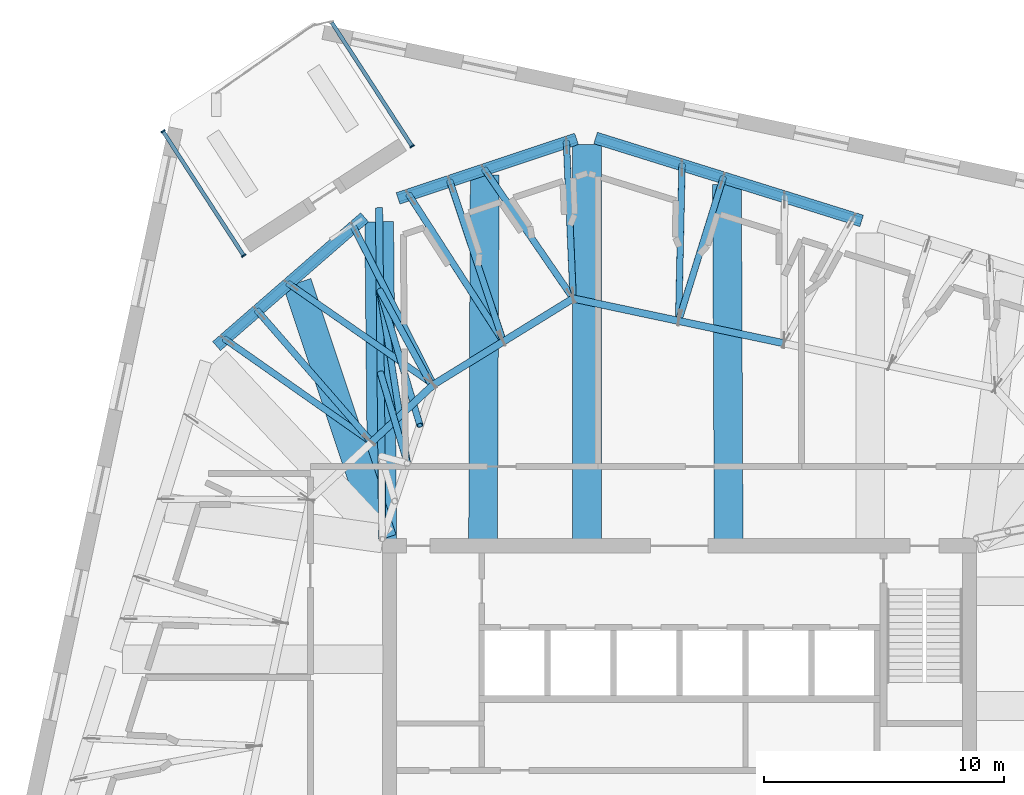
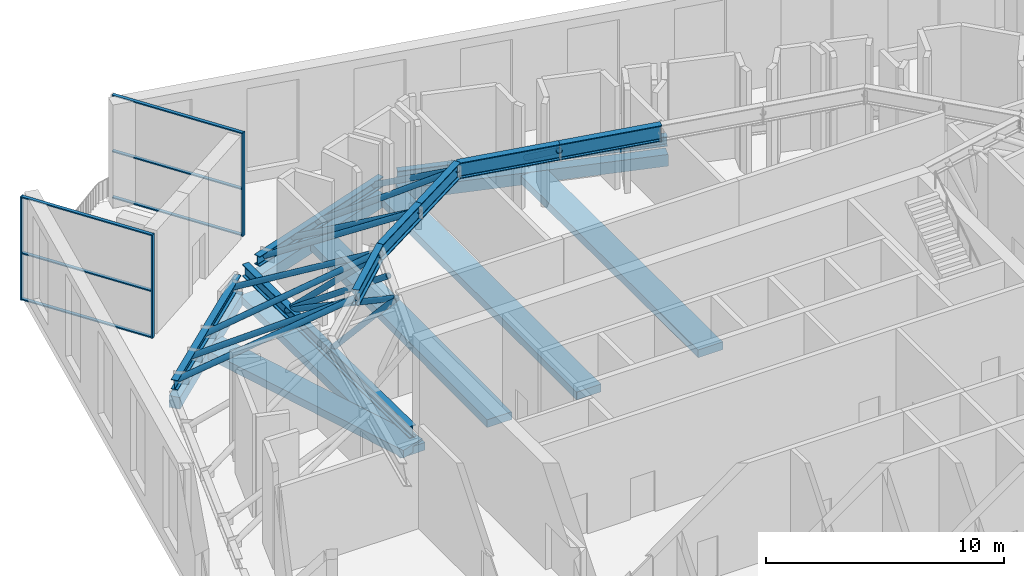
# One storey, part 3 of 19: 23 members, 17 beams, 2 elements without a shape of their own.
"""IFC4 building model written with IfcOpenShell, lengths in metres."""

from ifc_helpers import new_model, si_unit, direction, frame, origin, origin_2d, place, context, subcontext, project, spatial, rectangle, hollow_circle, i_section, extrude, material, material_profile, profile_set, type_object, element, aggregate, save


model = new_model("IFC4")

# Units and contexts
model_context = context("Model", 3, precision=1e-05, world=origin(), true_north=direction((0.0, 1.0)))
body_context = subcontext(model_context, "Body", "Model", "MODEL_VIEW")
ifc_project = project(units=[si_unit("LENGTHUNIT", "METRE"), si_unit("AREAUNIT", "SQUARE_METRE"), si_unit("VOLUMEUNIT", "CUBIC_METRE"), si_unit("PLANEANGLEUNIT", "RADIAN"), si_unit("MASSUNIT", "GRAM", prefix="KILO")], contexts=[model_context])

# Site, building, storey
site_placement = place(None, origin())
site = spatial("IfcSite", under=ifc_project, at=site_placement, CompositionType="ELEMENT")
building_placement = place(site_placement, origin())
building = spatial("IfcBuilding", under=site, at=building_placement, Name="Dilmun Exchange Tower", CompositionType="ELEMENT")
storey_placement = place(building_placement, frame((0.0, 0.0, 344.5)))
storey = spatial("IfcBuildingStorey", under=building, at=storey_placement, Name="L82", CompositionType="ELEMENT", Elevation=344.5)

# Curtain wall, member
ifc_material_1 = material(Name="Anodised aluminium and clear glass", Category="aluminium")
curtain_wall_type = type_object("IfcCurtainWallType", Name="Garden corner glazing", PredefinedType="NOTDEFINED", material=ifc_material_1)
curtain_wall_1_placement = place(storey_placement, origin())
curtain_wall_1 = element("IfcCurtainWall", 1, at=curtain_wall_1_placement, inside=storey, type_object=curtain_wall_type, Name="Garden corner glazing run GC1.1", PredefinedType="NOTDEFINED")
ifc_material_2 = material(Name="Anodised aluminium", Category="aluminium")
ifc_material_profile_1 = material_profile(ifc_material_2, rectangle(XDim=0.199951171875, YDim=0.06005859375, at=origin_2d()), Name="AL 60x200")
ifc_profile_set_1 = profile_set([ifc_material_profile_1], Name="Anodised aluminium")
member_type_1 = type_object("IfcMemberType", Name="Garden corner glazing mullion 60 x 200", PredefinedType="MULLION", material=ifc_profile_set_1)
member_1_placement = place(storey_placement, frame((-11.155517578125, 28.764404296875, 0.0), z_axis=(0.0, 0.0, 1.0), x_axis=(0.838674338179, 0.54463322932, 0.0)))
member_1 = element("IfcMember", 2, at=member_1_placement, type_object=member_type_1, Name="GC1.1 mullion 2", PredefinedType="MULLION", context=body_context, shape_type="SweptSolid", body=[
    extrude(rectangle(XDim=0.199951171875, YDim=0.06005859375, at=origin_2d()), origin(), (0.0, 0.0, 1.0), 5.300048828125),
])

# Curtain wall, members
curtain_wall_2_placement = place(storey_placement, origin())
curtain_wall_2 = element("IfcCurtainWall", 3, at=curtain_wall_2_placement, inside=storey, type_object=curtain_wall_type, Name="Garden corner glazing run GC3.1", PredefinedType="NOTDEFINED")
member_2_placement = place(storey_placement, frame((-18.18212890625, 24.201171875, 0.0), z_axis=(0.0, 0.0, 1.0), x_axis=(-0.838674338179, -0.54463322932, 0.0)))
member_2 = element("IfcMember", 4, at=member_2_placement, type_object=member_type_1, Name="GC3.1 mullion 1", PredefinedType="MULLION", context=body_context, shape_type="SweptSolid", body=[
    extrude(rectangle(XDim=0.199951171875, YDim=0.06005859375, at=origin_2d()), origin(), (0.0, 0.0, 1.0), 5.300048828125),
])
member_3_placement = place(storey_placement, frame((-21.55126953125, 29.3896484375, 0.0), z_axis=(0.0, 0.0, 1.0), x_axis=(-0.838674338179, -0.54463322932, 0.0)))
member_3 = element("IfcMember", 5, at=member_3_placement, type_object=member_type_1, Name="GC3.1 mullion 2", PredefinedType="MULLION", context=body_context, shape_type="SweptSolid", body=[
    extrude(rectangle(XDim=0.199951171875, YDim=0.06005859375, at=origin_2d()), origin(), (0.0, 0.0, 1.0), 5.300048828125),
])

# Member
ifc_material_profile_2 = material_profile(ifc_material_2, rectangle(XDim=0.159912109375, YDim=0.06005859375, at=origin_2d()), Name="AL 60x160")
ifc_profile_set_2 = profile_set([ifc_material_profile_2], Name="Anodised aluminium")
member_type_2 = type_object("IfcMemberType", Name="Garden corner glazing transom 60 x 160", PredefinedType="USERDEFINED", material=ifc_profile_set_2)
member_4_placement = place(storey_placement, frame((-14.508544921875, 33.927490234375, 0.030029296875), z_axis=(0.544645123151, -0.838666614232, 0.0), x_axis=(0.838666614232, 0.544645123151, 0.0)))
member_4 = element("IfcMember", 6, at=member_4_placement, type_object=member_type_2, Name="GC1.1 transom 1.1", ObjectType="TRANSOM", PredefinedType="USERDEFINED", context=body_context, shape_type="SweptSolid", body=[
    extrude(rectangle(XDim=0.159912109375, YDim=0.06005859375, at=origin_2d()), origin(), (0.0, 0.0, 1.0), 6.126220703125),
])

member_5_placement = place(storey_placement, frame((-14.508544921875, 33.927490234375, 2.39990234375), z_axis=(0.544645123151, -0.838666614232, 0.0), x_axis=(0.838666614232, 0.544645123151, 0.0)))
member_5 = element("IfcMember", 7, at=member_5_placement, type_object=member_type_2, Name="GC1.1 transom 1.2", ObjectType="TRANSOM", PredefinedType="USERDEFINED", context=body_context, shape_type="SweptSolid", body=[
    extrude(rectangle(XDim=0.159912109375, YDim=0.06005859375, at=origin_2d()), origin(), (0.0, 0.0, 1.0), 6.126220703125),
])

member_6_placement = place(storey_placement, frame((-14.508544921875, 33.927490234375, 5.27001953125), z_axis=(0.544645123151, -0.838666614232, 0.0), x_axis=(0.838666614232, 0.544645123151, 0.0)))
member_6 = element("IfcMember", 8, at=member_6_placement, type_object=member_type_2, Name="GC1.1 transom 1.3", ObjectType="TRANSOM", PredefinedType="USERDEFINED", context=body_context, shape_type="SweptSolid", body=[
    extrude(rectangle(XDim=0.159912109375, YDim=0.06005859375, at=origin_2d()), origin(), (0.0, 0.0, 1.0), 6.126220703125),
])

aggregate(curtain_wall_1, [member_1, member_4, member_5, member_6])

member_7_placement = place(storey_placement, frame((-18.198486328125, 24.226318359375, 0.030029296875), z_axis=(-0.544598890103, 0.83869663699, 0.0), x_axis=(-0.83869663699, -0.544598890103, 0.0)))
member_7 = element("IfcMember", 9, at=member_7_placement, type_object=member_type_2, Name="GC3.1 transom 1.1", ObjectType="TRANSOM", PredefinedType="USERDEFINED", context=body_context, shape_type="SweptSolid", body=[
    extrude(rectangle(XDim=0.159912109375, YDim=0.06005859375, at=origin_2d()), origin(), (0.0, 0.0, 1.0), 6.12646484375),
])

member_8_placement = place(storey_placement, frame((-18.198486328125, 24.226318359375, 2.39990234375), z_axis=(-0.544598890103, 0.83869663699, 0.0), x_axis=(-0.83869663699, -0.544598890103, 0.0)))
member_8 = element("IfcMember", 10, at=member_8_placement, type_object=member_type_2, Name="GC3.1 transom 1.2", ObjectType="TRANSOM", PredefinedType="USERDEFINED", context=body_context, shape_type="SweptSolid", body=[
    extrude(rectangle(XDim=0.159912109375, YDim=0.06005859375, at=origin_2d()), origin(), (0.0, 0.0, 1.0), 6.12646484375),
])

member_9_placement = place(storey_placement, frame((-18.198486328125, 24.226318359375, 5.27001953125), z_axis=(-0.544598890103, 0.83869663699, 0.0), x_axis=(-0.83869663699, -0.544598890103, 0.0)))
member_9 = element("IfcMember", 11, at=member_9_placement, type_object=member_type_2, Name="GC3.1 transom 1.3", ObjectType="TRANSOM", PredefinedType="USERDEFINED", context=body_context, shape_type="SweptSolid", body=[
    extrude(rectangle(XDim=0.159912109375, YDim=0.06005859375, at=origin_2d()), origin(), (0.0, 0.0, 1.0), 6.12646484375),
])

aggregate(curtain_wall_2, [member_2, member_3, member_7, member_8, member_9])

# Beams
ifc_material_3 = material(Name="Concrete C40/50", Category="concrete")
ifc_material_profile_3 = material_profile(ifc_material_3, rectangle(XDim=1.199951171875, YDim=0.39990234375, at=origin_2d()), Name="1200 x 400")
ifc_profile_set_3 = profile_set([ifc_material_profile_3], Name="Concrete C40/50")
beam_type_1 = type_object("IfcBeamType", Name="RC band beam 1200 x 400 C40/50", PredefinedType="BEAM", material=ifc_profile_set_3)
beam_1_placement = place(storey_placement, frame((-12.530029296875, 25.613525390625, -0.64990234375), z_axis=(0.009845926203, -0.999951527694, 0.0), x_axis=(0.999951527694, 0.009845926203, 0.0)))
element("IfcBeam", 12, at=beam_1_placement, inside=storey, type_object=beam_type_1, Name="Band beam 1", PredefinedType="BEAM", context=body_context, shape_type="SweptSolid", body=[
    extrude(rectangle(XDim=1.199951171875, YDim=0.39990234375, at=origin_2d()), origin(), (0.0, 0.0, 1.0), 13.2412109375),
])
beam_2_placement = place(storey_placement, frame((-3.85595703125, 28.827880859375, -0.64990234375), z_axis=(0.0, -1.0, 0.0), x_axis=(1.0, 0.0, 0.0)))
element("IfcBeam", 13, at=beam_2_placement, inside=storey, type_object=beam_type_1, Name="Band beam 16", PredefinedType="BEAM", context=body_context, shape_type="SweptSolid", body=[
    extrude(rectangle(XDim=1.199951171875, YDim=0.39990234375, at=origin_2d()), origin(), (0.0, 0.0, 1.0), 16.454833984375),
])
beam_3_placement = place(storey_placement, frame((-15.947021484375, 23.059326171875, -0.550048828125), z_axis=(0.315752926282, -0.948841445946, 0.0), x_axis=(0.948841445946, 0.315752926282, 0.0)))
element("IfcBeam", 14, at=beam_3_placement, inside=storey, type_object=beam_type_1, Name="Band beam 17", PredefinedType="BEAM", context=body_context, shape_type="SweptSolid", body=[
    extrude(rectangle(XDim=1.199951171875, YDim=0.39990234375, at=origin_2d()), origin(), (0.0, 0.0, 1.0), 11.260986328125),
])
beam_4_placement = place(storey_placement, frame((1.984619140625, 27.16650390625, -0.550048828125), z_axis=(0.004488848064, -0.999989925071, 0.0), x_axis=(0.999989925071, 0.004488848064, 0.0)))
element("IfcBeam", 15, at=beam_4_placement, inside=storey, type_object=beam_type_1, Name="Band beam 31", PredefinedType="BEAM", context=body_context, shape_type="SweptSolid", body=[
    extrude(rectangle(XDim=1.199951171875, YDim=0.39990234375, at=origin_2d()), origin(), (0.0, 0.0, 1.0), 14.793701171875),
])
beam_5_placement = place(storey_placement, frame((-8.1259765625, 27.5595703125, -0.550048828125), z_axis=(-0.00464595333, -0.999989207501, 0.0), x_axis=(0.999989207501, -0.00464595333, 0.0)))
element("IfcBeam", 16, at=beam_5_placement, inside=storey, type_object=beam_type_1, Name="Band beam 32", PredefinedType="BEAM", context=body_context, shape_type="SweptSolid", body=[
    extrude(rectangle(XDim=1.199951171875, YDim=0.39990234375, at=origin_2d()), origin(), (0.0, 0.0, 1.0), 15.186767578125),
])
ifc_material_profile_4 = material_profile(ifc_material_3, rectangle(XDim=0.5, YDim=0.60009765625, at=origin_2d()), Name="500 x 600")
ifc_profile_set_4 = profile_set([ifc_material_profile_4], Name="Concrete C40/50")
beam_type_2 = type_object("IfcBeamType", Name="RC ring beam 500 x 600 C40/50", PredefinedType="SPANDREL", material=ifc_profile_set_4)
beam_6_placement = place(storey_placement, frame((-13.13720703125, 25.7998046875, -0.64990234375), z_axis=(-0.754412964807, -0.656400090289, 0.0), x_axis=(0.656400090289, -0.754412964807, 0.0)))
element("IfcBeam", 17, at=beam_6_placement, inside=storey, type_object=beam_type_2, Name="Ring beam 1", PredefinedType="SPANDREL", context=body_context, shape_type="SweptSolid", body=[
    extrude(rectangle(XDim=0.5, YDim=0.60009765625, at=origin_2d()), origin(), (0.0, 0.0, 1.0), 8.190185546875),
])
beam_7_placement = place(storey_placement, frame((7.601806640625, 25.64990234375, -0.64990234375), z_axis=(-0.954732553331, 0.297465546931, 0.0), x_axis=(-0.297465546931, -0.954732553331, 0.0)))
element("IfcBeam", 18, at=beam_7_placement, inside=storey, type_object=beam_type_2, Name="Ring beam 15", PredefinedType="SPANDREL", context=body_context, shape_type="SweptSolid", body=[
    extrude(rectangle(XDim=0.5, YDim=0.60009765625, at=origin_2d()), origin(), (0.0, 0.0, 1.0), 11.628173828125),
])
beam_8_placement = place(storey_placement, frame((-4.298095703125, 29.072509765625, -0.64990234375), z_axis=(-0.94854014246, -0.316656909198, 0.0), x_axis=(0.316656909198, -0.94854014246, 0.0)))
element("IfcBeam", 19, at=beam_8_placement, inside=storey, type_object=beam_type_2, Name="Ring beam 16", PredefinedType="SPANDREL", context=body_context, shape_type="SweptSolid", body=[
    extrude(rectangle(XDim=0.5, YDim=0.60009765625, at=origin_2d()), origin(), (0.0, 0.0, 1.0), 7.850341796875),
])
ifc_material_4 = material(Name="Steel S355", Category="steel")
ifc_material_profile_5 = material_profile(ifc_material_4, i_section(OverallWidth=0.300048828125, OverallDepth=0.5, WebThickness=0.014404296875, FlangeThickness=0.028076171875, FilletRadius=0.027099609375, at=origin_2d()), Name="HEB 500")
ifc_profile_set_5 = profile_set([ifc_material_profile_5], Name="Steel S355")
beam_type_3 = type_object("IfcBeamType", Name="belt bottom chord HEB 500", PredefinedType="BEAM", material=ifc_profile_set_5)
beam_9_placement = place(storey_placement, frame((-13.13720703125, 25.7998046875, 0.25), z_axis=(-0.754412964807, -0.656400090289, 0.0), x_axis=(0.656400090289, -0.754412964807, 0.0)))
element("IfcBeam", 20, at=beam_9_placement, inside=storey, type_object=beam_type_3, Name="Belt bottom chord 1", PredefinedType="BEAM", context=body_context, shape_type="SweptSolid", body=[
    extrude(i_section(OverallWidth=0.300048828125, OverallDepth=0.5, WebThickness=0.014404296875, FlangeThickness=0.028076171875, FilletRadius=0.027099609375, at=origin_2d()), origin(), (0.0, 0.0, 1.0), 8.190185546875),
])
beam_10_placement = place(storey_placement, frame((7.601806640625, 25.64990234375, 0.25), z_axis=(-0.954732553331, 0.297465546931, 0.0), x_axis=(-0.297465546931, -0.954732553331, 0.0)))
element("IfcBeam", 21, at=beam_10_placement, inside=storey, type_object=beam_type_3, Name="Belt bottom chord 15", PredefinedType="BEAM", context=body_context, shape_type="SweptSolid", body=[
    extrude(i_section(OverallWidth=0.300048828125, OverallDepth=0.5, WebThickness=0.014404296875, FlangeThickness=0.028076171875, FilletRadius=0.027099609375, at=origin_2d()), origin(), (0.0, 0.0, 1.0), 11.628173828125),
])
beam_11_placement = place(storey_placement, frame((-4.298095703125, 29.072509765625, 0.25), z_axis=(-0.94854014246, -0.316656909198, 0.0), x_axis=(0.316656909198, -0.94854014246, 0.0)))
element("IfcBeam", 22, at=beam_11_placement, inside=storey, type_object=beam_type_3, Name="Belt bottom chord 16", PredefinedType="BEAM", context=body_context, shape_type="SweptSolid", body=[
    extrude(i_section(OverallWidth=0.300048828125, OverallDepth=0.5, WebThickness=0.014404296875, FlangeThickness=0.028076171875, FilletRadius=0.027099609375, at=origin_2d()), origin(), (0.0, 0.0, 1.0), 7.850341796875),
])
ifc_material_profile_6 = material_profile(ifc_material_4, i_section(OverallWidth=0.304931640625, OverallDepth=0.6201171875, WebThickness=0.02099609375, FlangeThickness=0.0400390625, FilletRadius=0.027099609375, at=origin_2d()), Name="HEM 600")
ifc_profile_set_6 = profile_set([ifc_material_profile_6], Name="Steel S355")
beam_type_4 = type_object("IfcBeamType", Name="outrigger chord HEM 600", PredefinedType="BEAM", material=ifc_profile_set_6)
beam_12_placement = place(storey_placement, frame((-12.399658203125, 12.373046875, 0.31005859375), z_axis=(-0.009852782306, 0.999951460162, 0.0), x_axis=(-0.999951460162, -0.009852782306, 0.0)))
element("IfcBeam", 23, at=beam_12_placement, inside=storey, type_object=beam_type_4, Name="Outrigger bottom chord 1", PredefinedType="BEAM", context=body_context, shape_type="SweptSolid", body=[
    extrude(i_section(OverallWidth=0.304931640625, OverallDepth=0.6201171875, WebThickness=0.02099609375, FlangeThickness=0.0400390625, FilletRadius=0.027099609375, at=origin_2d()), origin(), (0.0, 0.0, 1.0), 13.82666015625),
])

# Members
ifc_material_profile_7 = material_profile(ifc_material_4, hollow_circle(Radius=0.136474609375, WallThickness=0.01611328125, at=origin_2d()), Name="CHS 273x16")
ifc_profile_set_7 = profile_set([ifc_material_profile_7], Name="Steel S355")
member_type_3 = type_object("IfcMemberType", Name="outrigger post CHS 273x16", PredefinedType="POST", material=ifc_profile_set_7)
member_10_placement = place(storey_placement, frame((-11.3544921875, 15.5380859375, 4.889892578125), z_axis=(-0.184879687942, 0.622387738946, -0.760560979407), x_axis=(-0.958601333368, -0.284751617494, 0.0)))
element("IfcMember", 24, at=member_10_placement, inside=storey, type_object=member_type_3, Name="Outrigger post 1.2", PredefinedType="POST", context=body_context, shape_type="SweptSolid", body=[
    extrude(hollow_circle(Radius=0.136474609375, WallThickness=0.01611328125, at=origin_2d()), origin(), (0.0, 0.0, 1.0), 6.021728515625),
])
member_11_placement = place(storey_placement, frame((-10.827392578125, 17.1201171875, 4.889892578125), z_axis=(-0.224971344223, 0.755448394008, -0.615374372452), x_axis=(-0.958405062412, -0.28541152104, 0.0)))
element("IfcMember", 25, at=member_11_placement, inside=storey, type_object=member_type_3, Name="Outrigger post 1.3", PredefinedType="POST", context=body_context, shape_type="SweptSolid", body=[
    extrude(hollow_circle(Radius=0.136474609375, WallThickness=0.01611328125, at=origin_2d()), origin(), (0.0, 0.0, 1.0), 7.4423828125),
])

# Beams
ifc_material_profile_8 = material_profile(ifc_material_4, i_section(OverallWidth=0.302978515625, OverallDepth=0.81396484375, WebThickness=0.02099609375, FlangeThickness=0.0400390625, FilletRadius=0.030029296875, at=origin_2d()), Name="HEM 800")
ifc_profile_set_8 = profile_set([ifc_material_profile_8], Name="Steel S355")
beam_type_5 = type_object("IfcBeamType", Name="transfer chord HEM 800", PredefinedType="BEAM", material=ifc_profile_set_8)
beam_13_placement = place(storey_placement, frame((-10.260986328125, 18.820068359375, 4.89306640625), z_axis=(-0.731885642054, -0.6814274774, 0.0), x_axis=(0.6814274774, -0.731885642054, 0.0)))
element("IfcBeam", 26, at=beam_13_placement, inside=storey, type_object=beam_type_5, Name="Transfer chord 1", PredefinedType="BEAM", context=body_context, shape_type="SweptSolid", body=[
    extrude(i_section(OverallWidth=0.302978515625, OverallDepth=0.81396484375, WebThickness=0.02099609375, FlangeThickness=0.0400390625, FilletRadius=0.030029296875, at=origin_2d()), origin(), (0.0, 0.0, 1.0), 3.52734375),
])
beam_14_placement = place(storey_placement, frame((4.365966796875, 20.541015625, 4.89306640625), z_axis=(-0.978147266328, 0.207913264065, 0.0), x_axis=(-0.207913264065, -0.978147266328, 0.0)))
element("IfcBeam", 27, at=beam_14_placement, inside=storey, type_object=beam_type_5, Name="Transfer chord 29", PredefinedType="BEAM", context=body_context, shape_type="SweptSolid", body=[
    extrude(i_section(OverallWidth=0.302978515625, OverallDepth=0.81396484375, WebThickness=0.02099609375, FlangeThickness=0.0400390625, FilletRadius=0.030029296875, at=origin_2d()), origin(), (0.0, 0.0, 1.0), 4.499755859375),
])
beam_15_placement = place(storey_placement, frame((-0.035400390625, 21.4765625, 4.89306640625), z_axis=(-0.978149611564, 0.20790223038, 0.0), x_axis=(-0.20790223038, -0.978149611564, 0.0)))
element("IfcBeam", 28, at=beam_15_placement, inside=storey, type_object=beam_type_5, Name="Transfer chord 30", PredefinedType="BEAM", context=body_context, shape_type="SweptSolid", body=[
    extrude(i_section(OverallWidth=0.302978515625, OverallDepth=0.81396484375, WebThickness=0.02099609375, FlangeThickness=0.0400390625, FilletRadius=0.030029296875, at=origin_2d()), origin(), (0.0, 0.0, 1.0), 4.5),
])
beam_16_placement = place(storey_placement, frame((-4.43701171875, 22.412109375, 4.89306640625), z_axis=(-0.851126235468, -0.524961075984, 0.0), x_axis=(0.524961075984, -0.851126235468, 0.0)))
element("IfcBeam", 29, at=beam_16_placement, inside=storey, type_object=beam_type_5, Name="Transfer chord 31", PredefinedType="BEAM", context=body_context, shape_type="SweptSolid", body=[
    extrude(i_section(OverallWidth=0.302978515625, OverallDepth=0.81396484375, WebThickness=0.02099609375, FlangeThickness=0.0400390625, FilletRadius=0.030029296875, at=origin_2d()), origin(), (0.0, 0.0, 1.0), 3.42138671875),
])
beam_17_placement = place(storey_placement, frame((-7.34912109375, 20.615966796875, 4.89306640625), z_axis=(-0.851138454181, -0.524941265109, 0.0), x_axis=(0.524941265109, -0.851138454181, 0.0)))
element("IfcBeam", 30, at=beam_17_placement, inside=storey, type_object=beam_type_5, Name="Transfer chord 32", PredefinedType="BEAM", context=body_context, shape_type="SweptSolid", body=[
    extrude(i_section(OverallWidth=0.302978515625, OverallDepth=0.81396484375, WebThickness=0.02099609375, FlangeThickness=0.0400390625, FilletRadius=0.030029296875, at=origin_2d()), origin(), (0.0, 0.0, 1.0), 3.421142578125),
])

# Members
ifc_material_profile_9 = material_profile(ifc_material_4, hollow_circle(Radius=0.136474609375, WallThickness=0.01611328125, at=origin_2d()), Name="CHS 273x16")
ifc_profile_set_9 = profile_set([ifc_material_profile_9], Name="Steel S355")
member_type_4 = type_object("IfcMemberType", Name="truss diagonal CHS 273x16", PredefinedType="BRACE", material=ifc_profile_set_9)
member_12_placement = place(storey_placement, frame((-10.260986328125, 18.820068359375, 4.89306640625), z_axis=(-0.694534174955, 0.483591407106, -0.532692810909), x_axis=(-0.571412562343, -0.820662953713, 0.0)))
element("IfcMember", 31, at=member_12_placement, inside=storey, type_object=member_type_4, Name="Truss diagonal 1", PredefinedType="BRACE", context=body_context, shape_type="SweptSolid", body=[
    extrude(hollow_circle(Radius=0.136474609375, WallThickness=0.01611328125, at=origin_2d()), origin(), (0.0, 0.0, 1.0), 8.71630859375),
])
member_13_placement = place(storey_placement, frame((-10.260986328125, 18.820068359375, 4.89306640625), z_axis=(-0.382930705503, 0.75471325646, -0.532702520463), x_axis=(-0.891777115268, -0.452474945919, 0.0)))
element("IfcMember", 32, at=member_13_placement, inside=storey, type_object=member_type_4, Name="Truss diagonal 2", PredefinedType="BRACE", context=body_context, shape_type="SweptSolid", body=[
    extrude(hollow_circle(Radius=0.136474609375, WallThickness=0.01611328125, at=origin_2d()), origin(), (0.0, 0.0, 1.0), 8.716064453125),
])
member_14_placement = place(storey_placement, frame((-12.842529296875, 16.41650390625, 4.89306640625), z_axis=(-0.553274785687, 0.635842975972, -0.53813634093), x_axis=(-0.754389379316, -0.656427196554, 0.0)))
element("IfcMember", 33, at=member_14_placement, inside=storey, type_object=member_type_4, Name="Truss diagonal 3", PredefinedType="BRACE", context=body_context, shape_type="SweptSolid", body=[
    extrude(hollow_circle(Radius=0.136474609375, WallThickness=0.01611328125, at=origin_2d()), origin(), (0.0, 0.0, 1.0), 8.6279296875),
])
member_15_placement = place(storey_placement, frame((-12.842529296875, 16.41650390625, 4.89306640625), z_axis=(-0.695673015761, 0.488397635433, -0.526789146476), x_axis=(-0.574588159328, -0.81844269632, 0.0)))
element("IfcMember", 34, at=member_15_placement, inside=storey, type_object=member_type_4, Name="Truss diagonal 4", PredefinedType="BRACE", context=body_context, shape_type="SweptSolid", body=[
    extrude(hollow_circle(Radius=0.136474609375, WallThickness=0.01611328125, at=origin_2d()), origin(), (0.0, 0.0, 1.0), 8.81396484375),
])
member_16_placement = place(storey_placement, frame((-0.035400390625, 21.4765625, 4.89306640625), z_axis=(0.238875204763, 0.76666938997, -0.595950235365), x_axis=(-0.954730995733, 0.297470546083, 0.0)))
element("IfcMember", 35, at=member_16_placement, inside=storey, type_object=member_type_4, Name="Truss diagonal 59", PredefinedType="BRACE", context=body_context, shape_type="SweptSolid", body=[
    extrude(hollow_circle(Radius=0.136474609375, WallThickness=0.01611328125, at=origin_2d()), origin(), (0.0, 0.0, 1.0), 7.791015625),
])
member_17_placement = place(storey_placement, frame((-0.035400390625, 21.4765625, 4.89306640625), z_axis=(0.017830688272, 0.813952600408, -0.580657584851), x_axis=(-0.999760143377, 0.02190104369, 0.0)))
element("IfcMember", 36, at=member_17_placement, inside=storey, type_object=member_type_4, Name="Truss diagonal 60", PredefinedType="BRACE", context=body_context, shape_type="SweptSolid", body=[
    extrude(hollow_circle(Radius=0.136474609375, WallThickness=0.01611328125, at=origin_2d()), origin(), (0.0, 0.0, 1.0), 7.996337890625),
])
for number, where, z_axis, x_axis, name in (
    (37, (-4.43701171875, 22.412109375, 4.89306640625), (-0.461192442256, 0.671778562377, -0.579668089804), (-0.824417187295, -0.565982598047, 0.0), "Truss diagonal 61"),
    (38, (-4.43701171875, 22.412109375, 4.89306640625), (-0.034869562204, 0.814100644145, -0.579675991252), (-0.999083969914, -0.042792768789, 0.0), "Truss diagonal 62"),
):
    element("IfcMember", number, at=place(storey_placement, frame(where, z_axis=z_axis, x_axis=x_axis)), inside=storey, type_object=member_type_4, Name=name, PredefinedType="BRACE", context=body_context, shape_type="SweptSolid", body=[
        extrude(hollow_circle(Radius=0.136474609375, WallThickness=0.01611328125, at=origin_2d()), origin(), (0.0, 0.0, 1.0), 8.009765625),
    ])
member_18_placement = place(storey_placement, frame((-7.34912109375, 20.615966796875, 4.89306640625), z_axis=(-0.264493980968, 0.792354591511, -0.54974279017), x_axis=(-0.948548253493, -0.316632611706, 0.0)))
element("IfcMember", 39, at=member_18_placement, inside=storey, type_object=member_type_4, Name="Truss diagonal 63", PredefinedType="BRACE", context=body_context, shape_type="SweptSolid", body=[
    extrude(hollow_circle(Radius=0.136474609375, WallThickness=0.01611328125, at=origin_2d()), origin(), (0.0, 0.0, 1.0), 8.44580078125),
])
member_19_placement = place(storey_placement, frame((-7.34912109375, 20.615966796875, 4.89306640625), z_axis=(-0.456394675763, 0.708948329891, -0.537676636539), x_axis=(-0.840831852589, -0.541296402789, 0.0)))
element("IfcMember", 40, at=member_19_placement, inside=storey, type_object=member_type_4, Name="Truss diagonal 64", PredefinedType="BRACE", context=body_context, shape_type="SweptSolid", body=[
    extrude(hollow_circle(Radius=0.136474609375, WallThickness=0.01611328125, at=origin_2d()), origin(), (0.0, 0.0, 1.0), 8.635498046875),
])
member_20_placement = place(storey_placement, frame((-11.3544921875, 15.5380859375, 4.889892578125), z_axis=(-0.133187149912, 0.836394893966, -0.531699881931), x_axis=(-0.987557518631, -0.15725821885, 0.0)))
element("IfcMember", 41, at=member_20_placement, inside=storey, type_object=member_type_4, Name="Outrigger diagonal 1.2", PredefinedType="BRACE", context=body_context, shape_type="SweptSolid", body=[
    extrude(hollow_circle(Radius=0.136474609375, WallThickness=0.01611328125, at=origin_2d()), origin(), (0.0, 0.0, 1.0), 8.613525390625),
])
member_21_placement = place(storey_placement, frame((-10.30029296875, 18.701904296875, 4.889892578125), z_axis=(-0.339093080059, 0.622378892644, -0.705450492272), x_axis=(-0.878124605699, -0.478431998162, 0.0)))
element("IfcMember", 42, at=member_21_placement, inside=storey, type_object=member_type_4, Name="Outrigger diagonal 1.3", PredefinedType="BRACE", context=body_context, shape_type="SweptSolid", body=[
    extrude(hollow_circle(Radius=0.136474609375, WallThickness=0.01611328125, at=origin_2d()), origin(), (0.0, 0.0, 1.0), 6.4921875),
])

save(model, "model.ifc")
